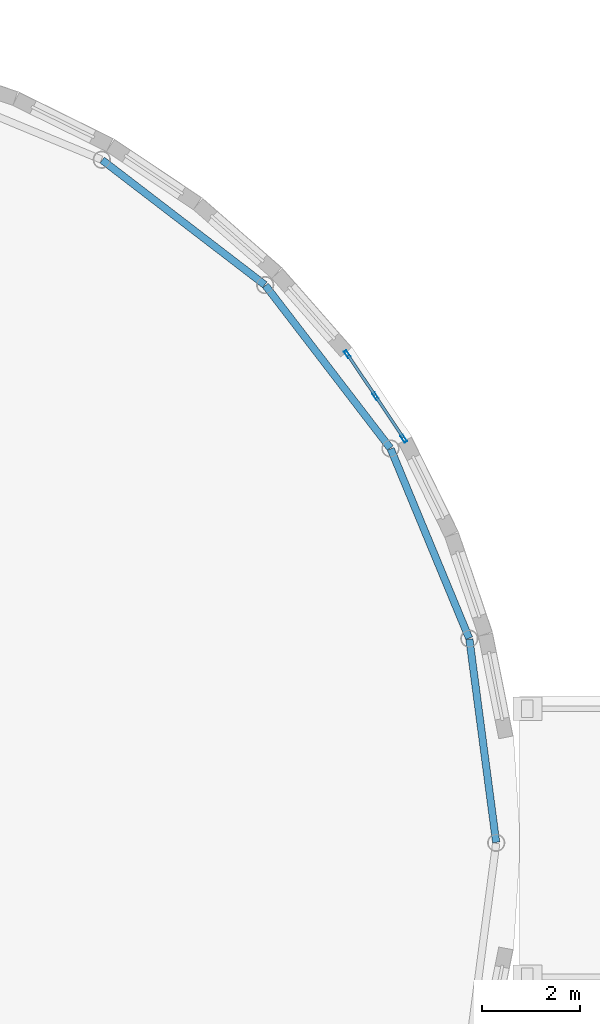
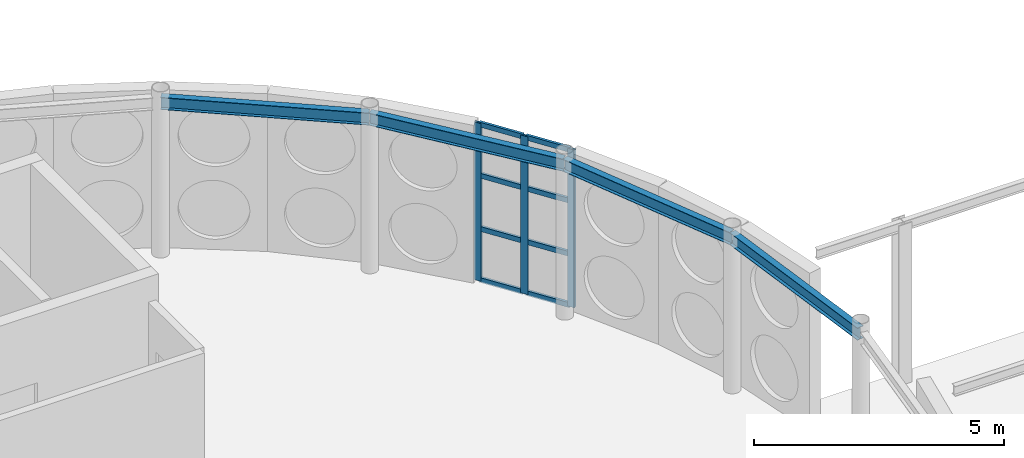
# One storey, part 60 of 165: 11 members, 4 beams, 1 element without a shape of its own.
"""IFC4 building model written with IfcOpenShell, lengths in metres."""

import ifcopenshell
import ifcopenshell.guid

model = None  # the IFC model being written
_history = None  # IfcOwnerHistory: only IFC2X3 demands one
_inside = {}  # id of a spatial element -> (the spatial element, [elements in it])
_under = {}  # id of a project, library or spatial element -> (it, [spatial elements below it])
_declared = {}  # id of a project -> (the project, [libraries it declares])
_typed = {}  # id of a type object -> (the type object, [elements of that type])
_made_of = {}  # id of a material, layer set ... -> (it, [elements and type objects made of it])


def new_model(schema):
    """Start an empty IFC model of exactly this schema.

    Asked for "IFC4X3", IfcOpenShell would pick the latest addendum, in which some entities
    have other attributes; the version numbers below select the first issue.
    IFC2X3 requires an IfcOwnerHistory on every rooted entity: one is made here for all.
    """
    global model, _history
    if schema == "IFC4X3":
        model = ifcopenshell.file(schema_version=(4, 3, 0, 0))
    else:
        model = ifcopenshell.file(schema=schema)
    _inside.clear()
    _under.clear()
    _declared.clear()
    _typed.clear()
    _made_of.clear()
    _history = None
    if model.schema == "IFC2X3":
        org = make("IfcOrganization", Name="unknown")
        user = make(
            "IfcPersonAndOrganization",
            ThePerson=make("IfcPerson", FamilyName="unknown"),
            TheOrganization=org,
        )
        app = make(
            "IfcApplication",
            ApplicationDeveloper=org,
            Version="unknown",
            ApplicationFullName="unknown",
            ApplicationIdentifier="unknown",
        )
        _history = make(
            "IfcOwnerHistory",
            OwningUser=user,
            OwningApplication=app,
            ChangeAction="ADDED",
            CreationDate=0,
        )
    return model


def make(cls, **values):
    """One entity of the class cls with the attributes given. An attribute that is None is left unset."""
    return model.create_entity(
        cls, **{name: value for name, value in values.items() if value is not None}
    )


def rooted(cls, **values):
    """An entity with a GlobalId (a new one), such as an element, a storey or a relation."""
    return make(cls, GlobalId=ifcopenshell.guid.new(), OwnerHistory=_history, **values)


def si_unit(unit_type, name, prefix=None):
    """IfcSIUnit, for example si_unit("LENGTHUNIT", "METRE", prefix="MILLI")."""
    return make("IfcSIUnit", UnitType=unit_type, Prefix=prefix, Name=name)


def assignment(units):
    """IfcUnitAssignment: the units of a project."""
    return None if units is None else make("IfcUnitAssignment", Units=units)


def point(xyz):
    """IfcCartesianPoint."""
    return None if xyz is None else make("IfcCartesianPoint", Coordinates=xyz)


def direction(xyz):
    """IfcDirection."""
    return None if xyz is None else make("IfcDirection", DirectionRatios=xyz)


def frame(location, z_axis=None, x_axis=None):
    """IfcAxis2Placement3D, a coordinate frame: its origin and axes. An axis left out is left unset."""
    return make(
        "IfcAxis2Placement3D",
        Location=point(location),
        Axis=direction(z_axis),
        RefDirection=direction(x_axis),
    )


def frame_2d(location, x_axis=None):
    """IfcAxis2Placement2D, a coordinate frame in the plane: its origin and x axis."""
    return make(
        "IfcAxis2Placement2D", Location=point(location), RefDirection=direction(x_axis)
    )


def origin():
    """The frame at (0, 0, 0) with its axes left unset."""
    return frame((0.0, 0.0, 0.0))


def origin_2d():
    """The frame at (0, 0) in the plane with its x axis left unset."""
    return frame_2d((0.0, 0.0))


def place(relative_to, where):
    """IfcLocalPlacement: puts the frame where relative to a parent placement (None: the world)."""
    return make(
        "IfcLocalPlacement", PlacementRelTo=relative_to, RelativePlacement=where
    )


def context(
    kind, dimensions, precision=None, world=None, true_north=None, identifier=None
):
    """IfcGeometricRepresentationContext, for example the 3D "Model" context."""
    return make(
        "IfcGeometricRepresentationContext",
        ContextIdentifier=identifier,
        ContextType=kind,
        CoordinateSpaceDimension=dimensions,
        Precision=precision,
        WorldCoordinateSystem=world,
        TrueNorth=true_north,
    )


def subcontext(parent, identifier, kind, view, scale=None):
    """IfcGeometricRepresentationSubContext, for example "Body" below "Model"."""
    return make(
        "IfcGeometricRepresentationSubContext",
        ContextIdentifier=identifier,
        ContextType=kind,
        ParentContext=parent,
        TargetScale=scale,
        TargetView=view,
    )


def project(units=None, contexts=None):
    """IfcProject with its units and contexts."""
    return rooted(
        "IfcProject",
        Name="project",
        RepresentationContexts=contexts,
        UnitsInContext=assignment(units),
    )


def spatial(cls, under=None, at=None, **own):
    """A site, building, storey or space (cls), placed at a placement, below another one or the project."""
    s = rooted(cls, ObjectPlacement=at, **own)
    if under is not None:
        _under.setdefault(under.id(), (under, []))[1].append(s)
    return s


def profile(cls, at=None, kind="AREA", **sizes):
    """A parametric profile (cls). Its sizes go by their IFC names, for example OverallWidth=200.0."""
    return make(cls, ProfileType=kind, Position=at, **sizes)


def hollow_rectangle(**sizes):
    """IfcRectangleHollowProfileDef."""
    return profile("IfcRectangleHollowProfileDef", **sizes)


def i_section(**sizes):
    """IfcIShapeProfileDef."""
    return profile("IfcIShapeProfileDef", **sizes)


def extrude(swept, where, along, depth):
    """IfcExtrudedAreaSolid: the profile swept, set in the frame where, extruded along a direction by depth."""
    return make(
        "IfcExtrudedAreaSolid",
        SweptArea=swept,
        Position=where,
        ExtrudedDirection=direction(along),
        Depth=depth,
    )


def shape(context_of_items, identifier, shape_type, items):
    """IfcShapeRepresentation: the items that make up one representation, for example the "Body"."""
    return make(
        "IfcShapeRepresentation",
        ContextOfItems=context_of_items,
        RepresentationIdentifier=identifier,
        RepresentationType=shape_type,
        Items=items,
    )


def material(Name=None, Category=None):
    """IfcMaterial."""
    return make("IfcMaterial", Name=Name, Category=Category)


def layer(
    of_material, thickness, ventilated=None, Name=None, Category=None, Priority=None
):
    """IfcMaterialLayer: one layer of a wall or slab, of a material (None: an air gap)."""
    return make(
        "IfcMaterialLayer",
        Material=of_material,
        LayerThickness=thickness,
        IsVentilated=ventilated,
        Name=Name,
        Category=Category,
        Priority=Priority,
    )


def layer_set(layers, Name=None):
    """IfcMaterialLayerSet."""
    return make("IfcMaterialLayerSet", MaterialLayers=layers, LayerSetName=Name)


def material_profile(
    of_material, cross_section, Name=None, Category=None, Priority=None
):
    """IfcMaterialProfile: a cross section and its material."""
    return make(
        "IfcMaterialProfile",
        Name=Name,
        Material=of_material,
        Profile=cross_section,
        Priority=Priority,
        Category=Category,
    )


def profile_set(profiles, Name=None, composite=None):
    """IfcMaterialProfileSet."""
    return make(
        "IfcMaterialProfileSet",
        Name=Name,
        MaterialProfiles=profiles,
        CompositeProfile=composite,
    )


def made_of(thing, what):
    """Note that an element or type object is made of a material, layer set ...; save() writes the relation."""
    if what is not None:
        _made_of.setdefault(what.id(), (what, []))[1].append(thing)
    return thing


def type_object(cls, material=None, **own):
    """A type object (cls), such as IfcWallType, which elements share."""
    return made_of(rooted(cls, **own), material)


def element(
    cls,
    number,
    at=None,
    inside=None,
    cuts=None,
    type_object=None,
    material=None,
    context=None,
    identifier="Body",
    shape_type=None,
    held_by="IfcProductDefinitionShape",
    body=None,
    shapes=None,
    **own,
):
    """One element of the class cls, such as IfcWall. Its Tag is "e" and its number.

    at: its placement. inside: the storey or other place that contains it. cuts: it is an
    opening in that element (IfcRelVoidsElement). A single representation is given by context,
    identifier, shape_type and body (its items); several are given by shapes. held_by: the class
    of the entity that holds the representations. save() writes the other relations.
    """
    e = rooted(cls, Tag="e%d" % number, ObjectPlacement=at, **own)
    if body is not None:
        shapes = [shape(context, identifier, shape_type, body)]
    if shapes is not None:
        e.Representation = make(held_by, Representations=shapes)
    if inside is not None:
        _inside.setdefault(inside.id(), (inside, []))[1].append(e)
    if cuts is not None:
        rooted(
            "IfcRelVoidsElement", RelatingBuildingElement=cuts, RelatedOpeningElement=e
        )
    if type_object is not None:
        _typed.setdefault(type_object.id(), (type_object, []))[1].append(e)
    return made_of(e, material)


def aggregate(whole, parts):
    """IfcRelAggregates: a whole, such as a stair, and the parts it consists of."""
    return rooted("IfcRelAggregates", RelatingObject=whole, RelatedObjects=parts)


def save(model, path):
    """Write the relations noted so far, then the file.

    IfcRelAggregates (storeys below a building ...), IfcRelContainedInSpatialStructure (elements
    in a storey), IfcRelDefinesByType, IfcRelAssociatesMaterial and IfcRelDeclares: one each for
    every whole, place, type object, material and project.
    """
    for whole, parts in _under.values():
        aggregate(whole, parts)
    for where, things in _inside.values():
        rooted(
            "IfcRelContainedInSpatialStructure",
            RelatedElements=things,
            RelatingStructure=where,
        )
    for kind, things in _typed.values():
        rooted("IfcRelDefinesByType", RelatedObjects=things, RelatingType=kind)
    for what, things in _made_of.values():
        rooted("IfcRelAssociatesMaterial", RelatedObjects=things, RelatingMaterial=what)
    for by, libraries in _declared.values():
        rooted("IfcRelDeclares", RelatingContext=by, RelatedDefinitions=libraries)
    model.write(path)


model = new_model("IFC4")

# Units and contexts
model_context = context("Model", 3, precision=1e-05, world=origin(), true_north=direction((0.0, 1.0)))
body_context = subcontext(model_context, "Body", "Model", "MODEL_VIEW")
ifc_project = project(units=[si_unit("LENGTHUNIT", "METRE"), si_unit("AREAUNIT", "SQUARE_METRE"), si_unit("VOLUMEUNIT", "CUBIC_METRE"), si_unit("PLANEANGLEUNIT", "RADIAN"), si_unit("MASSUNIT", "GRAM", prefix="KILO")], contexts=[model_context])

# Site, building, storey
site_placement = place(None, origin())
site = spatial("IfcSite", under=ifc_project, at=site_placement, CompositionType="ELEMENT")
building_placement = place(site_placement, origin())
building = spatial("IfcBuilding", under=site, at=building_placement, Name="Montecoro Central Library", CompositionType="ELEMENT")
storey_placement = place(building_placement, frame((0.0, 0.0, 5.10009765625)))
storey = spatial("IfcBuildingStorey", under=building, at=storey_placement, Name="L01", CompositionType="ELEMENT", Elevation=5.10009765625)

# Beams
ifc_material_1 = material(Name="Steel S355", Category="steel")
ifc_material_profile_1 = material_profile(ifc_material_1, i_section(OverallWidth=0.14990234375, OverallDepth=0.300048828125, WebThickness=0.007080078125, FlangeThickness=0.0107421875, at=origin_2d()), Name="IPE 300")
ifc_profile_set_1 = profile_set([ifc_material_profile_1], Name="Steel S355")
beam_type = type_object("IfcBeamType", Name="BM-SP-IPE300", PredefinedType="SPANDREL", material=ifc_profile_set_1)
for number, where, z_axis, x_axis, name in (
    (1, (107.779052734375, 35.409912109375, 3.704833984375), (-0.130607740177, 0.99143412197, 0.0), (-0.99143412197, -0.130607740177, 0.0), "V1-L01-RING-01"),
    (2, (107.22509765625, 39.596923828125, 3.704833984375), (-0.382746700319, 0.923853323529, 0.0), (-0.923853323529, -0.382746700319, 0.0), "V1-L01-RING-02"),
):
    element("IfcBeam", number, at=place(storey_placement, frame(where, z_axis=z_axis, x_axis=x_axis)), inside=storey, type_object=beam_type, Name=name, PredefinedType="SPANDREL", context=body_context, shape_type="SweptSolid", body=[
        extrude(i_section(OverallWidth=0.14990234375, OverallDepth=0.300048828125, WebThickness=0.007080078125, FlangeThickness=0.0107421875, at=origin_2d()), origin(), (0.0, 0.0, 1.0), 4.2041015625),
    ])
for number, where, z_axis, x_axis, name in (
    (3, (105.60595703125, 43.498046875, 3.704833984375), (-0.608736327249, 0.793372600918, 0.0), (-0.793372600918, -0.608736327249, 0.0), "V1-L01-RING-03"),
    (4, (103.032958984375, 46.846923828125, 3.704833984375), (-0.793344551064, 0.608772883181, 0.0), (-0.608772883181, -0.793344551064, 0.0), "V1-L01-RING-04"),
):
    element("IfcBeam", number, at=place(storey_placement, frame(where, z_axis=z_axis, x_axis=x_axis)), inside=storey, type_object=beam_type, Name=name, PredefinedType="SPANDREL", context=body_context, shape_type="SweptSolid", body=[
        extrude(i_section(OverallWidth=0.14990234375, OverallDepth=0.300048828125, WebThickness=0.007080078125, FlangeThickness=0.0107421875, at=origin_2d()), origin(), (0.0, 0.0, 1.0), 4.20361328125),
    ])

# Curtain wall, members
ifc_material_2 = material(Name="Bronze-anodised aluminium and low-E glazing", Category="aluminium")
ifc_layer = layer(ifc_material_2, 0.159912109375)
ifc_layer_set = layer_set([ifc_layer], Name="Bronze-anodised aluminium and low-E glazing")
curtain_wall_type = type_object("IfcCurtainWallType", Name="CWT-003", PredefinedType="NOTDEFINED", material=ifc_layer_set)
curtain_wall_placement = place(storey_placement, origin())
curtain_wall = element("IfcCurtainWall", 5, at=curtain_wall_placement, inside=storey, type_object=curtain_wall_type, Name="V1-L01-CW-05", PredefinedType="NOTDEFINED")
ifc_material_3 = material(Name="Bronze-anodised aluminium", Category="aluminium")
ifc_material_profile_2 = material_profile(ifc_material_3, hollow_rectangle(XDim=0.06005859375, YDim=0.159912109375, WallThickness=0.00390625, at=origin_2d()), Name="CWM 160x60x4.0")
ifc_profile_set_2 = profile_set([ifc_material_profile_2], Name="Bronze-anodised aluminium")
member_type_1 = type_object("IfcMemberType", Name="CWM-BRZ-60", PredefinedType="MULLION", material=ifc_profile_set_2)
member_1_placement = place(storey_placement, frame((105.88623046875, 43.69189453125, 0.0), z_axis=(0.0, 0.0, 1.0), x_axis=(-0.831116851291, -0.556097814687, 0.0)))
member_1 = element("IfcMember", 6, at=member_1_placement, type_object=member_type_1, Name="CW-003 mullion 1", PredefinedType="MULLION", context=body_context, shape_type="SweptSolid", body=[
    extrude(hollow_rectangle(XDim=0.06005859375, YDim=0.159912109375, WallThickness=0.00390625, at=origin_2d()), origin(), (0.0, 0.0, 1.0), 3.85498046875),
])
member_2_placement = place(storey_placement, frame((105.306396484375, 44.55859375, 0.0), z_axis=(0.0, 0.0, 1.0), x_axis=(-0.831116851291, -0.556097814687, 0.0)))
member_2 = element("IfcMember", 7, at=member_2_placement, type_object=member_type_1, Name="CW-003 mullion 2", PredefinedType="MULLION", context=body_context, shape_type="SweptSolid", body=[
    extrude(hollow_rectangle(XDim=0.06005859375, YDim=0.159912109375, WallThickness=0.00390625, at=origin_2d()), origin(), (0.0, 0.0, 1.0), 3.85498046875),
])
member_3_placement = place(storey_placement, frame((104.7265625, 45.425048828125, 0.0), z_axis=(0.0, 0.0, 1.0), x_axis=(-0.831116851291, -0.556097814687, 0.0)))
member_3 = element("IfcMember", 8, at=member_3_placement, type_object=member_type_1, Name="CW-003 mullion 3", PredefinedType="MULLION", context=body_context, shape_type="SweptSolid", body=[
    extrude(hollow_rectangle(XDim=0.06005859375, YDim=0.159912109375, WallThickness=0.00390625, at=origin_2d()), origin(), (0.0, 0.0, 1.0), 3.85498046875),
])
ifc_material_profile_3 = material_profile(ifc_material_3, hollow_rectangle(XDim=0.06005859375, YDim=0.1201171875, WallThickness=0.00390625, at=origin_2d()), Name="CWT 120x60x4.0")
ifc_profile_set_3 = profile_set([ifc_material_profile_3], Name="Bronze-anodised aluminium")
member_type_2 = type_object("IfcMemberType", Name="CWT-BRZ-60", PredefinedType="USERDEFINED", material=ifc_profile_set_3)
member_4_placement = place(storey_placement, frame((105.86962890625, 43.716796875, 0.02978515625), z_axis=(-0.556075578393, 0.831131729099, 0.0), x_axis=(-0.831131729099, -0.556075578393, 0.0)))
member_4 = element("IfcMember", 9, at=member_4_placement, type_object=member_type_2, Name="CW-003 transom 1.1", ObjectType="TRANSOM", PredefinedType="USERDEFINED", context=body_context, shape_type="SweptSolid", body=[
    extrude(hollow_rectangle(XDim=0.06005859375, YDim=0.1201171875, WallThickness=0.00390625, at=origin_2d()), origin(), (0.0, 0.0, 1.0), 0.982666015625),
])
member_5_placement = place(storey_placement, frame((105.86962890625, 43.716796875, 1.27978515625), z_axis=(-0.556075578393, 0.831131729099, 0.0), x_axis=(-0.831131729099, -0.556075578393, 0.0)))
member_5 = element("IfcMember", 10, at=member_5_placement, type_object=member_type_2, Name="CW-003 transom 1.2", ObjectType="TRANSOM", PredefinedType="USERDEFINED", context=body_context, shape_type="SweptSolid", body=[
    extrude(hollow_rectangle(XDim=0.06005859375, YDim=0.1201171875, WallThickness=0.00390625, at=origin_2d()), origin(), (0.0, 0.0, 1.0), 0.982666015625),
])
member_6_placement = place(storey_placement, frame((105.86962890625, 43.716796875, 2.579833984375), z_axis=(-0.556075578393, 0.831131729099, 0.0), x_axis=(-0.831131729099, -0.556075578393, 0.0)))
member_6 = element("IfcMember", 11, at=member_6_placement, type_object=member_type_2, Name="CW-003 transom 1.3", ObjectType="TRANSOM", PredefinedType="USERDEFINED", context=body_context, shape_type="SweptSolid", body=[
    extrude(hollow_rectangle(XDim=0.06005859375, YDim=0.1201171875, WallThickness=0.00390625, at=origin_2d()), origin(), (0.0, 0.0, 1.0), 0.982666015625),
])
member_7_placement = place(storey_placement, frame((105.86962890625, 43.716796875, 3.824951171875), z_axis=(-0.556075578393, 0.831131729099, 0.0), x_axis=(-0.831131729099, -0.556075578393, 0.0)))
member_7 = element("IfcMember", 12, at=member_7_placement, type_object=member_type_2, Name="CW-003 transom 1.4", ObjectType="TRANSOM", PredefinedType="USERDEFINED", context=body_context, shape_type="SweptSolid", body=[
    extrude(hollow_rectangle(XDim=0.06005859375, YDim=0.1201171875, WallThickness=0.00390625, at=origin_2d()), origin(), (0.0, 0.0, 1.0), 0.982666015625),
])
member_8_placement = place(storey_placement, frame((105.289794921875, 44.58349609375, 0.02978515625), z_axis=(-0.556075578393, 0.831131729099, 0.0), x_axis=(-0.831131729099, -0.556075578393, 0.0)))
member_8 = element("IfcMember", 13, at=member_8_placement, type_object=member_type_2, Name="CW-003 transom 2.1", ObjectType="TRANSOM", PredefinedType="USERDEFINED", context=body_context, shape_type="SweptSolid", body=[
    extrude(hollow_rectangle(XDim=0.06005859375, YDim=0.1201171875, WallThickness=0.00390625, at=origin_2d()), origin(), (0.0, 0.0, 1.0), 0.982666015625),
])
member_9_placement = place(storey_placement, frame((105.289794921875, 44.58349609375, 1.27978515625), z_axis=(-0.556075578393, 0.831131729099, 0.0), x_axis=(-0.831131729099, -0.556075578393, 0.0)))
member_9 = element("IfcMember", 14, at=member_9_placement, type_object=member_type_2, Name="CW-003 transom 2.2", ObjectType="TRANSOM", PredefinedType="USERDEFINED", context=body_context, shape_type="SweptSolid", body=[
    extrude(hollow_rectangle(XDim=0.06005859375, YDim=0.1201171875, WallThickness=0.00390625, at=origin_2d()), origin(), (0.0, 0.0, 1.0), 0.982666015625),
])
member_10_placement = place(storey_placement, frame((105.289794921875, 44.58349609375, 2.579833984375), z_axis=(-0.556075578393, 0.831131729099, 0.0), x_axis=(-0.831131729099, -0.556075578393, 0.0)))
member_10 = element("IfcMember", 15, at=member_10_placement, type_object=member_type_2, Name="CW-003 transom 2.3", ObjectType="TRANSOM", PredefinedType="USERDEFINED", context=body_context, shape_type="SweptSolid", body=[
    extrude(hollow_rectangle(XDim=0.06005859375, YDim=0.1201171875, WallThickness=0.00390625, at=origin_2d()), origin(), (0.0, 0.0, 1.0), 0.982666015625),
])
member_11_placement = place(storey_placement, frame((105.289794921875, 44.58349609375, 3.824951171875), z_axis=(-0.556075578393, 0.831131729099, 0.0), x_axis=(-0.831131729099, -0.556075578393, 0.0)))
member_11 = element("IfcMember", 16, at=member_11_placement, type_object=member_type_2, Name="CW-003 transom 2.4", ObjectType="TRANSOM", PredefinedType="USERDEFINED", context=body_context, shape_type="SweptSolid", body=[
    extrude(hollow_rectangle(XDim=0.06005859375, YDim=0.1201171875, WallThickness=0.00390625, at=origin_2d()), origin(), (0.0, 0.0, 1.0), 0.982666015625),
])
aggregate(curtain_wall, [member_1, member_2, member_3, member_4, member_5, member_6, member_7, member_8, member_9, member_10, member_11])

save(model, "model.ifc")
